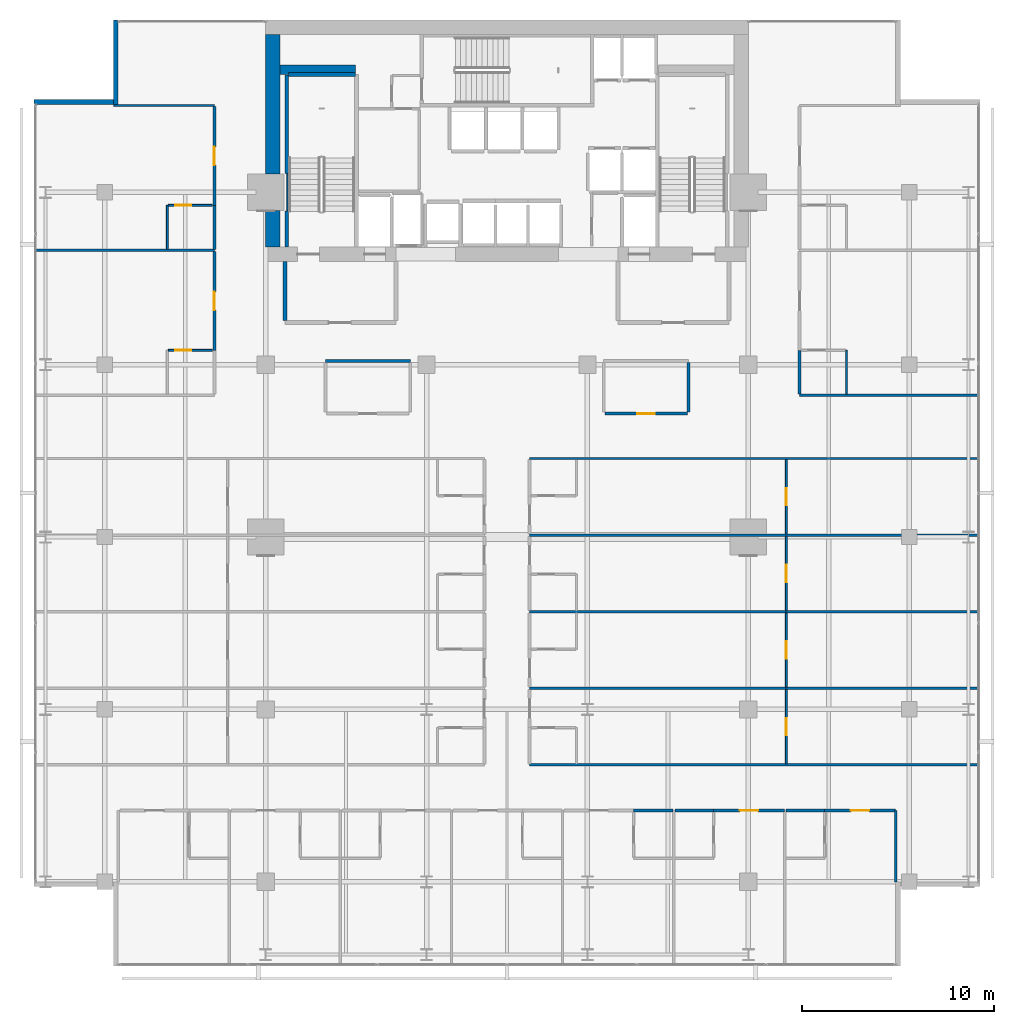
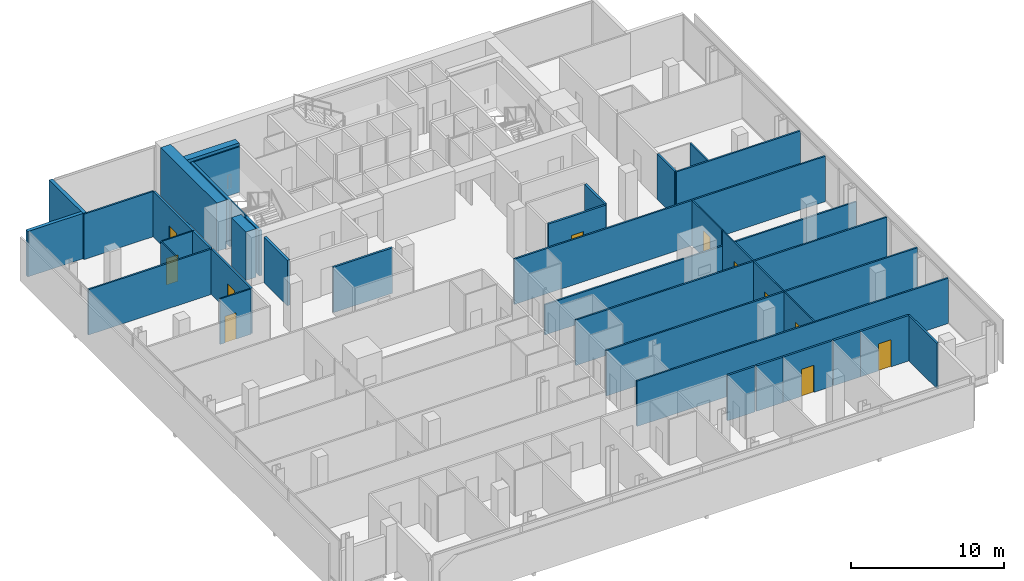
# One storey, part 29 of 34: 39 walls, 11 doors, 11 openings.
"""IFC4 building model written with IfcOpenShell, lengths in metres."""

from ifc_helpers import new_model, si_unit, direction, frame, frame_2d, origin, place, context, subcontext, project, spatial, rectangle, extrude, material, layer, layer_set, type_object, element, fill, save


model = new_model("IFC4")

# Units and contexts
model_context = context("Model", 3, precision=1e-05, world=origin(), true_north=direction((0.0, 1.0)))
body_context = subcontext(model_context, "Body", "Model", "MODEL_VIEW")
ifc_project = project(units=[si_unit("LENGTHUNIT", "METRE"), si_unit("AREAUNIT", "SQUARE_METRE"), si_unit("VOLUMEUNIT", "CUBIC_METRE"), si_unit("PLANEANGLEUNIT", "RADIAN"), si_unit("MASSUNIT", "GRAM", prefix="KILO")], contexts=[model_context])

# Site, building, storey
site_placement = place(None, origin())
site = spatial("IfcSite", under=ifc_project, at=site_placement, CompositionType="ELEMENT")
building_placement = place(site_placement, origin())
building = spatial("IfcBuilding", under=site, at=building_placement, Name="Maruvema Waterfront Hotel and Observation Tower", CompositionType="ELEMENT")
storey_placement = place(building_placement, frame((0.0, 0.0, 131.25)))
storey = spatial("IfcBuildingStorey", under=building, at=storey_placement, Name="L31", CompositionType="ELEMENT", Elevation=131.25)

# Walls
ifc_material_1 = material(Name="Twin-stud acoustic gypsum drywall", Category="gypsum")
ifc_layer_1 = layer(ifc_material_1, 0.14990234375, Name="Acoustic Corridor and Suite Demising Wall 150 mm")
ifc_layer_set_1 = layer_set([ifc_layer_1], Name="Twin-stud acoustic gypsum drywall")
wall_type_1 = type_object("IfcWallType", Name="Acoustic Corridor and Suite Demising Wall 150 mm", PredefinedType="PARTITIONING", material=ifc_layer_set_1)
wall_1_placement = place(storey_placement, frame((28.320068359375, 36.199951171875, 0.0), z_axis=(0.0, 0.0, 1.0), x_axis=(1.0, 0.0, 0.0)))
element("IfcWall", 1, at=wall_1_placement, inside=storey, type_object=wall_type_1, Name="L31 L31-M1 Back Wall 017", PredefinedType="PARTITIONING", context=body_context, shape_type="SweptSolid", body=[
    extrude(rectangle(XDim=4.429931640625, YDim=0.14990234375, at=frame_2d((2.21484375, 0.0))), origin(), (0.0, 0.0, 1.0), 3.610107421875),
])
wall_2_placement = place(storey_placement, frame((47.280029296875, 33.530029296875, 0.0), z_axis=(0.0, 0.0, 1.0), x_axis=(0.0, 1.0, 0.0)))
element("IfcWall", 2, at=wall_2_placement, inside=storey, type_object=wall_type_1, Name="L31 L31-M2 East Wall 023", PredefinedType="PARTITIONING", context=body_context, shape_type="SweptSolid", body=[
    extrude(rectangle(XDim=2.590087890625, YDim=0.14990234375, at=frame_2d((1.294921875, 0.0))), origin(), (0.0, 0.0, 1.0), 3.610107421875),
])

# Wall, opening, door
wall_3_placement = place(storey_placement, frame((42.909912109375, 33.449951171875, 0.0), z_axis=(0.0, 0.0, 1.0), x_axis=(1.0, 0.0, 0.0)))
wall_3 = element("IfcWall", 3, at=wall_3_placement, inside=storey, type_object=wall_type_1, Name="L31 L31-M2 Front 1 024", PredefinedType="PARTITIONING", context=body_context, shape_type="SweptSolid", body=[
    extrude(rectangle(XDim=4.31005859375, YDim=0.14990234375, at=frame_2d((2.155029296875, 0.0))), origin(), (0.0, 0.0, 1.0), 3.610107421875),
])
opening_1_placement = place(wall_3_placement, frame((1.705078125, 0.0, 0.0)))
opening_1 = element("IfcOpeningElement", 4, at=opening_1_placement, cuts=wall_3, Name="Opening DR-090", PredefinedType="OPENING", context=body_context, shape_type="SweptSolid", body=[
    extrude(rectangle(XDim=0.89990234375, YDim=2.10009765625, at=frame_2d((0.449951171875, 1.050048828125))), frame((0.0, 0.0849609375, 0.0), z_axis=(0.0, -1.0, 0.0), x_axis=(1.0, 0.0, 0.0)), (0.0, 0.0, 1.0), 0.169921875),
])
ifc_material_2 = material(Name="Solid-core lacquered timber leaf", Category="wood")
door_type_1 = type_object("IfcDoorType", Name="Accessible Toilet and Room Door 900x2100 mm", OperationType="NOTDEFINED", PredefinedType="DOOR", material=ifc_material_2)
door_1_placement = place(opening_1_placement, frame((0.89990234375, 0.0, 0.0), z_axis=(0.0, 0.0, 1.0), x_axis=(-1.0, 0.0, 0.0)))
door_1 = element("IfcDoor", 5, at=door_1_placement, inside=storey, type_object=door_type_1, Name="L31 Business Office 1 Door", OperationType="SINGLE_SWING_RIGHT", OverallHeight=2.10009765625, OverallWidth=0.89990234375, PredefinedType="DOOR", context=body_context, shape_type="SweptSolid", body=[
    extrude(rectangle(XDim=0.89990234375, YDim=2.10009765625, at=frame_2d((0.449951171875, 1.050048828125))), frame((0.0, 0.02490234375, 0.0), z_axis=(0.0, -1.0, 0.0), x_axis=(1.0, 0.0, 0.0)), (0.0, 0.0, 1.0), 0.050048828125),
])
fill(opening_1, door_1)

# Walls
wall_4_placement = place(storey_placement, frame((44.409912109375, 12.719970703125, 0.0), z_axis=(0.0, 0.0, 1.0), x_axis=(1.0, 0.0, 0.0)))
element("IfcWall", 6, at=wall_4_placement, inside=storey, type_object=wall_type_1, Name="L31 Bath L31-S5 Back Wall 047", PredefinedType="PARTITIONING", context=body_context, shape_type="SweptSolid", body=[
    extrude(rectangle(XDim=2.070068359375, YDim=0.14990234375, at=frame_2d((1.03515625, 0.0))), origin(), (0.0, 0.0, 1.0), 3.610107421875),
])
wall_5_placement = place(storey_placement, frame((46.580078125, 12.719970703125, 0.0), z_axis=(0.0, 0.0, 1.0), x_axis=(1.0, 0.0, 0.0)))
element("IfcWall", 7, at=wall_5_placement, inside=storey, type_object=wall_type_1, Name="L31 Bath L31-S6 Back Wall 052", PredefinedType="PARTITIONING", context=body_context, shape_type="SweptSolid", body=[
    extrude(rectangle(XDim=2.010009765625, YDim=0.14990234375, at=frame_2d((1.0048828125, 0.0))), origin(), (0.0, 0.0, 1.0), 3.610107421875),
])

# Wall, opening, door
wall_6_placement = place(storey_placement, frame((48.590087890625, 12.719970703125, 0.0), z_axis=(0.0, 0.0, 1.0), x_axis=(1.0, 0.0, 0.0)))
wall_6 = element("IfcWall", 8, at=wall_6_placement, inside=storey, type_object=wall_type_1, Name="L31 Unit L31-S6 Corridor Wall 055", PredefinedType="PARTITIONING", context=body_context, shape_type="SweptSolid", body=[
    extrude(rectangle(XDim=3.68994140625, YDim=0.14990234375, at=frame_2d((1.844970703125, 0.0))), origin(), (0.0, 0.0, 1.0), 3.610107421875),
])
opening_2_placement = place(wall_6_placement, frame((1.3701171875, 0.0, 0.0)))
opening_2 = element("IfcOpeningElement", 9, at=opening_2_placement, cuts=wall_6, Name="Opening DR-095", PredefinedType="OPENING", context=body_context, shape_type="SweptSolid", body=[
    extrude(rectangle(XDim=0.949951171875, YDim=2.14990234375, at=frame_2d((0.47509765625, 1.074951171875))), frame((0.0, 0.0849609375, 0.0), z_axis=(0.0, -1.0, 0.0), x_axis=(1.0, 0.0, 0.0)), (0.0, 0.0, 1.0), 0.169921875),
])
ifc_material_3 = material(Name="Acoustic solid-core hardwood timber leaf", Category="wood")
door_type_2 = type_object("IfcDoorType", Name="Guestroom Entrance Fire Door 950x2150 mm", OperationType="NOTDEFINED", PredefinedType="DOOR", material=ifc_material_3)
door_2_placement = place(opening_2_placement, frame((0.949951171875, 0.0, 0.0), z_axis=(0.0, 0.0, 1.0), x_axis=(-1.0, 0.0, 0.0)))
door_2 = element("IfcDoor", 10, at=door_2_placement, inside=storey, type_object=door_type_2, Name="L31 Unit L31-S6 Entrance Door", OperationType="SINGLE_SWING_RIGHT", OverallHeight=2.14990234375, OverallWidth=0.949951171875, PredefinedType="DOOR", context=body_context, shape_type="SweptSolid", body=[
    extrude(rectangle(XDim=0.949951171875, YDim=2.14990234375, at=frame_2d((0.47509765625, 1.074951171875))), frame((0.0, 0.02490234375, 0.0), z_axis=(0.0, -1.0, 0.0), x_axis=(1.0, 0.0, 0.0)), (0.0, 0.0, 1.0), 0.050048828125),
])
fill(opening_2, door_2)

# Wall
wall_7_placement = place(storey_placement, frame((52.3798828125, 12.719970703125, 0.0), z_axis=(0.0, 0.0, 1.0), x_axis=(1.0, 0.0, 0.0)))
element("IfcWall", 11, at=wall_7_placement, inside=storey, type_object=wall_type_1, Name="L31 Bath L31-S7 Back Wall 057", PredefinedType="PARTITIONING", context=body_context, shape_type="SweptSolid", body=[
    extrude(rectangle(XDim=2.010009765625, YDim=0.14990234375, at=frame_2d((1.0048828125, 0.0))), origin(), (0.0, 0.0, 1.0), 3.610107421875),
])

# Wall, opening, door
wall_8_placement = place(storey_placement, frame((54.389892578125, 12.719970703125, 0.0), z_axis=(0.0, 0.0, 1.0), x_axis=(1.0, 0.0, 0.0)))
wall_8 = element("IfcWall", 12, at=wall_8_placement, inside=storey, type_object=wall_type_1, Name="L31 Unit L31-S7 Corridor Wall 060", PredefinedType="PARTITIONING", context=body_context, shape_type="SweptSolid", body=[
    extrude(rectangle(XDim=3.690185546875, YDim=0.14990234375, at=frame_2d((1.84521484375, 0.0))), origin(), (0.0, 0.0, 1.0), 3.610107421875),
])
opening_3_placement = place(wall_8_placement, frame((1.3701171875, 0.0, 0.0)))
opening_3 = element("IfcOpeningElement", 13, at=opening_3_placement, cuts=wall_8, Name="Opening DR-095", PredefinedType="OPENING", context=body_context, shape_type="SweptSolid", body=[
    extrude(rectangle(XDim=0.949951171875, YDim=2.14990234375, at=frame_2d((0.47509765625, 1.074951171875))), frame((0.0, 0.0849609375, 0.0), z_axis=(0.0, -1.0, 0.0), x_axis=(1.0, 0.0, 0.0)), (0.0, 0.0, 1.0), 0.169921875),
])
door_3_placement = place(opening_3_placement, frame((0.949951171875, 0.0, 0.0), z_axis=(0.0, 0.0, 1.0), x_axis=(-1.0, 0.0, 0.0)))
door_3 = element("IfcDoor", 14, at=door_3_placement, inside=storey, type_object=door_type_2, Name="L31 Unit L31-S7 Entrance Door", OperationType="SINGLE_SWING_RIGHT", OverallHeight=2.14990234375, OverallWidth=0.949951171875, PredefinedType="DOOR", context=body_context, shape_type="SweptSolid", body=[
    extrude(rectangle(XDim=0.949951171875, YDim=2.14990234375, at=frame_2d((0.47509765625, 1.074951171875))), frame((0.0, 0.02490234375, 0.0), z_axis=(0.0, -1.0, 0.0), x_axis=(1.0, 0.0, 0.0)), (0.0, 0.0, 1.0), 0.050048828125),
])
fill(opening_3, door_3)

wall_9_placement = place(storey_placement, frame((22.52001953125, 36.75, 0.0), z_axis=(0.0, 0.0, 1.0), x_axis=(0.0, 1.0, 0.0)))
wall_9 = element("IfcWall", 15, at=wall_9_placement, inside=storey, type_object=wall_type_1, Name="L31 Room L31-NW1 Corridor Wall 116", PredefinedType="PARTITIONING", context=body_context, shape_type="SweptSolid", body=[
    extrude(rectangle(XDim=5.15869140625, YDim=0.14990234375, at=frame_2d((2.579345703125, 0.0))), origin(), (0.0, 0.0, 1.0), 3.610107421875),
])
opening_4_placement = place(wall_9_placement, frame((2.1044921875, 0.0, 0.0)))
opening_4 = element("IfcOpeningElement", 16, at=opening_4_placement, cuts=wall_9, Name="Opening DR-095", PredefinedType="OPENING", context=body_context, shape_type="SweptSolid", body=[
    extrude(rectangle(XDim=0.949951171875, YDim=2.14990234375, at=frame_2d((0.47509765625, 1.074951171875))), frame((0.0, 0.0849609375, 0.0), z_axis=(0.0, -1.0, 0.0), x_axis=(1.0, 0.0, 0.0)), (0.0, 0.0, 1.0), 0.169921875),
])
door_4_placement = place(opening_4_placement, origin())
door_4 = element("IfcDoor", 17, at=door_4_placement, inside=storey, type_object=door_type_2, Name="L31 Room L31-NW1 Entrance Door", OperationType="SINGLE_SWING_RIGHT", OverallHeight=2.14990234375, OverallWidth=0.949951171875, PredefinedType="DOOR", context=body_context, shape_type="SweptSolid", body=[
    extrude(rectangle(XDim=0.949951171875, YDim=2.14990234375, at=frame_2d((0.47509765625, 1.074951171875))), frame((0.0, 0.02490234375, 0.0), z_axis=(0.0, -1.0, 0.0), x_axis=(1.0, 0.0, 0.0)), (0.0, 0.0, 1.0), 0.050048828125),
])
fill(opening_4, door_4)

# Walls
for number, where, z_axis, x_axis, name in (
    (18, (53.080078125, 34.4599609375, 0.0), (0.0, 0.0, 1.0), (0.0, 1.0, 0.0), "L31 Bath L31-NE1 Wall 119"),
    (19, (22.52001953125, 42.02880859375, 0.0), (0.0, 0.0, 1.0), (0.0, 1.0, 0.0), "L31 Bath L31-NW2 Wall 125"),
):
    element("IfcWall", number, at=place(storey_placement, frame(where, z_axis=z_axis, x_axis=x_axis)), inside=storey, type_object=wall_type_1, Name=name, PredefinedType="PARTITIONING", context=body_context, shape_type="SweptSolid", body=[
        extrude(rectangle(XDim=2.2900390625, YDim=0.14990234375, at=frame_2d((1.14501953125, 0.0))), origin(), (0.0, 0.0, 1.0), 3.610107421875),
    ])

# Wall, opening, door
wall_10_placement = place(storey_placement, frame((22.52001953125, 44.31884765625, 0.0), z_axis=(0.0, 0.0, 1.0), x_axis=(0.0, 1.0, 0.0)))
wall_10 = element("IfcWall", 20, at=wall_10_placement, inside=storey, type_object=wall_type_1, Name="L31 Room L31-NW2 Corridor Wall 126", PredefinedType="PARTITIONING", context=body_context, shape_type="SweptSolid", body=[
    extrude(rectangle(XDim=5.15869140625, YDim=0.14990234375, at=frame_2d((2.579345703125, 0.0))), origin(), (0.0, 0.0, 1.0), 3.610107421875),
])
opening_5_placement = place(wall_10_placement, frame((2.104248046875, 0.0, 0.0)))
opening_5 = element("IfcOpeningElement", 21, at=opening_5_placement, cuts=wall_10, Name="Opening DR-095", PredefinedType="OPENING", context=body_context, shape_type="SweptSolid", body=[
    extrude(rectangle(XDim=0.949951171875, YDim=2.14990234375, at=frame_2d((0.47509765625, 1.074951171875))), frame((0.0, 0.0849609375, 0.0), z_axis=(0.0, -1.0, 0.0), x_axis=(1.0, 0.0, 0.0)), (0.0, 0.0, 1.0), 0.169921875),
])
door_5_placement = place(opening_5_placement, origin())
door_5 = element("IfcDoor", 22, at=door_5_placement, inside=storey, type_object=door_type_2, Name="L31 Room L31-NW2 Entrance Door", OperationType="SINGLE_SWING_RIGHT", OverallHeight=2.14990234375, OverallWidth=0.949951171875, PredefinedType="DOOR", context=body_context, shape_type="SweptSolid", body=[
    extrude(rectangle(XDim=0.949951171875, YDim=2.14990234375, at=frame_2d((0.47509765625, 1.074951171875))), frame((0.0, 0.02490234375, 0.0), z_axis=(0.0, -1.0, 0.0), x_axis=(1.0, 0.0, 0.0)), (0.0, 0.0, 1.0), 0.050048828125),
])
fill(opening_5, door_5)

# Walls
ifc_material_4 = material(Name="Precast concrete C45/55", Category="concrete")
ifc_layer_2 = layer(ifc_material_4, 0.199951171875, Name="Core Shaft and Stairwell Enclosure Wall 200 mm")
ifc_layer_set_2 = layer_set([ifc_layer_2], Name="Precast concrete C45/55")
wall_type_2 = type_object("IfcWallType", Name="Core Shaft and Stairwell Enclosure Wall 200 mm", PredefinedType="SOLIDWALL", material=ifc_layer_set_2)
wall_11_placement = place(storey_placement, frame((26.300048828125, 42.14990234375, 0.0), z_axis=(0.0, 0.0, 1.0), x_axis=(0.0, 1.0, 0.0)))
element("IfcWall", 23, at=wall_11_placement, inside=storey, type_object=wall_type_2, Name="L31 Stairwell ST-01 Shaft Lining Wall", PredefinedType="SOLIDWALL", context=body_context, shape_type="SweptSolid", body=[
    extrude(rectangle(XDim=1.8701171875, YDim=0.199951171875, at=frame_2d((0.93505859375, 0.0))), origin(), (0.0, 0.0, 1.0), 3.610107421875),
])
wall_12_placement = place(storey_placement, frame((26.300048828125, 45.97998046875, 0.0), z_axis=(0.0, 0.0, 1.0), x_axis=(0.0, 1.0, 0.0)))
element("IfcWall", 24, at=wall_12_placement, inside=storey, type_object=wall_type_2, Name="L31 Stairwell ST-01 Shaft Lining Wall", PredefinedType="SOLIDWALL", context=body_context, shape_type="SweptSolid", body=[
    extrude(rectangle(XDim=5.14013671875, YDim=0.199951171875, at=frame_2d((2.570068359375, 0.0))), origin(), (0.0, 0.0, 1.0), 3.610107421875),
])
wall_13_placement = place(storey_placement, frame((26.3798828125, 51.14990234375, 0.0), z_axis=(0.0, 0.0, 1.0), x_axis=(1.0, 0.0, 0.0)))
element("IfcWall", 25, at=wall_13_placement, inside=storey, type_object=wall_type_2, Name="L31 Stairwell ST-01 Shaft Lining Wall", PredefinedType="SOLIDWALL", context=body_context, shape_type="SweptSolid", body=[
    extrude(rectangle(XDim=3.5, YDim=0.199951171875, at=frame_2d((1.75, 0.0))), origin(), (0.0, 0.0, 1.0), 3.610107421875),
])
ifc_material_5 = material(Name="Concrete C70/85", Category="concrete")
ifc_layer_3 = layer(ifc_material_5, 0.5, Name="Core Shear Wall 500 mm")
ifc_layer_set_3 = layer_set([ifc_layer_3], Name="Concrete C70/85")
wall_type_3 = type_object("IfcWallType", Name="Core Shear Wall 500 mm", PredefinedType="SHEAR", material=ifc_layer_set_3)
wall_14_placement = place(storey_placement, frame((25.949951171875, 51.39990234375, 0.0), z_axis=(0.0, 0.0, 1.0), x_axis=(1.0, 0.0, 0.0)))
element("IfcWall", 26, at=wall_14_placement, inside=storey, type_object=wall_type_3, Name="L31 Internal Core Shear Wall NW 500 mm", PredefinedType="SHEAR", context=body_context, shape_type="SweptSolid", body=[
    extrude(rectangle(XDim=3.949951171875, YDim=0.5, at=frame_2d((1.97509765625, 0.0))), origin(), (0.0, 0.0, 1.0), 3.85009765625),
])
ifc_material_6 = material(Name="Concrete C70/85", Category="concrete")
ifc_layer_4 = layer(ifc_material_6, 0.75, Name="Core Shear Wall 750 mm")
ifc_layer_set_4 = layer_set([ifc_layer_4], Name="Concrete C70/85")
wall_type_4 = type_object("IfcWallType", Name="Core Shear Wall 750 mm", PredefinedType="SHEAR", material=ifc_layer_set_4)
wall_15_placement = place(storey_placement, frame((25.574951171875, 42.14990234375, 0.0), z_axis=(0.0, 0.0, 1.0), x_axis=(0.0, 1.0, 0.0)))
element("IfcWall", 27, at=wall_15_placement, inside=storey, type_object=wall_type_4, Name="L31 West-South Core Shear Wall", PredefinedType="SHEAR", context=body_context, shape_type="SweptSolid", body=[
    extrude(rectangle(XDim=1.900146484375, YDim=0.75, at=frame_2d((0.9501953125, 0.0))), origin(), (0.0, 0.0, 1.0), 3.85009765625),
])
wall_16_placement = place(storey_placement, frame((25.574951171875, 45.949951171875, 0.0), z_axis=(0.0, 0.0, 1.0), x_axis=(0.0, 1.0, 0.0)))
element("IfcWall", 28, at=wall_16_placement, inside=storey, type_object=wall_type_4, Name="L31 West-North Core Shear Wall", PredefinedType="SHEAR", context=body_context, shape_type="SweptSolid", body=[
    extrude(rectangle(XDim=7.300048828125, YDim=0.75, at=frame_2d((3.64990234375, 0.0))), origin(), (0.0, 0.0, 1.0), 3.85009765625),
])

# Wall, opening, door
ifc_material_7 = material(Name="Moisture-resistant cement-board drywall", Category="gypsum")
ifc_layer_5 = layer(ifc_material_7, 0.10009765625, Name="En-Suite Moisture-Resistant Partition 100 mm")
ifc_layer_set_5 = layer_set([ifc_layer_5], Name="Moisture-resistant cement-board drywall")
wall_type_5 = type_object("IfcWallType", Name="En-Suite Moisture-Resistant Partition 100 mm", PredefinedType="PARTITIONING", material=ifc_layer_set_5)
wall_17_placement = place(storey_placement, frame((52.386474609375, 15.159912109375, 0.0), z_axis=(0.0, 0.0, 1.0), x_axis=(0.0, 1.0, 0.0)))
wall_17 = element("IfcWall", 29, at=wall_17_placement, inside=storey, type_object=wall_type_5, Name="L31 Suite L31-E1 Split 074", PredefinedType="PARTITIONING", context=body_context, shape_type="SweptSolid", body=[
    extrude(rectangle(XDim=3.880126953125, YDim=0.10009765625, at=frame_2d((1.93994140625, 0.0))), origin(), (0.0, 0.0, 1.0), 3.610107421875),
])
opening_6_placement = place(wall_17_placement, frame((1.489990234375, 0.0, 0.0)))
opening_6 = element("IfcOpeningElement", 30, at=opening_6_placement, cuts=wall_17, Name="Opening DR-090", PredefinedType="OPENING", context=body_context, shape_type="SweptSolid", body=[
    extrude(rectangle(XDim=0.89990234375, YDim=2.10009765625, at=frame_2d((0.449951171875, 1.050048828125))), frame((0.0, 0.06005859375, 0.0), z_axis=(0.0, -1.0, 0.0), x_axis=(1.0, 0.0, 0.0)), (0.0, 0.0, 1.0), 0.1201171875),
])
door_6_placement = place(opening_6_placement, frame((0.89990234375, 0.0, 0.0), z_axis=(0.0, 0.0, 1.0), x_axis=(-1.0, 0.0, 0.0)))
door_6 = element("IfcDoor", 31, at=door_6_placement, inside=storey, type_object=door_type_1, Name="L31 Suite L31-E1 Bedroom Door", OperationType="SINGLE_SWING_RIGHT", OverallHeight=2.10009765625, OverallWidth=0.89990234375, PredefinedType="DOOR", context=body_context, shape_type="SweptSolid", body=[
    extrude(rectangle(XDim=0.89990234375, YDim=2.10009765625, at=frame_2d((0.449951171875, 1.050048828125))), frame((0.0, 0.02490234375, 0.0), z_axis=(0.0, -1.0, 0.0), x_axis=(1.0, 0.0, 0.0)), (0.0, 0.0, 1.0), 0.050048828125),
])
fill(opening_6, door_6)

wall_18_placement = place(storey_placement, frame((52.386474609375, 19.159912109375, 0.0), z_axis=(0.0, 0.0, 1.0), x_axis=(0.0, 1.0, 0.0)))
wall_18 = element("IfcWall", 32, at=wall_18_placement, inside=storey, type_object=wall_type_5, Name="L31 Suite L31-E2 Split 086", PredefinedType="PARTITIONING", context=body_context, shape_type="SweptSolid", body=[
    extrude(rectangle(XDim=3.880126953125, YDim=0.10009765625, at=frame_2d((1.93994140625, 0.0))), origin(), (0.0, 0.0, 1.0), 3.610107421875),
])
opening_7_placement = place(wall_18_placement, frame((1.489990234375, 0.0, 0.0)))
opening_7 = element("IfcOpeningElement", 33, at=opening_7_placement, cuts=wall_18, Name="Opening DR-090", PredefinedType="OPENING", context=body_context, shape_type="SweptSolid", body=[
    extrude(rectangle(XDim=0.89990234375, YDim=2.10009765625, at=frame_2d((0.449951171875, 1.050048828125))), frame((0.0, 0.06005859375, 0.0), z_axis=(0.0, -1.0, 0.0), x_axis=(1.0, 0.0, 0.0)), (0.0, 0.0, 1.0), 0.1201171875),
])
door_7_placement = place(opening_7_placement, frame((0.89990234375, 0.0, 0.0), z_axis=(0.0, 0.0, 1.0), x_axis=(-1.0, 0.0, 0.0)))
door_7 = element("IfcDoor", 34, at=door_7_placement, inside=storey, type_object=door_type_1, Name="L31 Suite L31-E2 Bedroom Door", OperationType="SINGLE_SWING_RIGHT", OverallHeight=2.10009765625, OverallWidth=0.89990234375, PredefinedType="DOOR", context=body_context, shape_type="SweptSolid", body=[
    extrude(rectangle(XDim=0.89990234375, YDim=2.10009765625, at=frame_2d((0.449951171875, 1.050048828125))), frame((0.0, 0.02490234375, 0.0), z_axis=(0.0, -1.0, 0.0), x_axis=(1.0, 0.0, 0.0)), (0.0, 0.0, 1.0), 0.050048828125),
])
fill(opening_7, door_7)

wall_19_placement = place(storey_placement, frame((52.386474609375, 23.159912109375, 0.0), z_axis=(0.0, 0.0, 1.0), x_axis=(0.0, 1.0, 0.0)))
wall_19 = element("IfcWall", 35, at=wall_19_placement, inside=storey, type_object=wall_type_5, Name="L31 Suite L31-E3 Split 098", PredefinedType="PARTITIONING", context=body_context, shape_type="SweptSolid", body=[
    extrude(rectangle(XDim=3.880126953125, YDim=0.10009765625, at=frame_2d((1.93994140625, 0.0))), origin(), (0.0, 0.0, 1.0), 3.610107421875),
])
opening_8_placement = place(wall_19_placement, frame((1.489990234375, 0.0, 0.0)))
opening_8 = element("IfcOpeningElement", 36, at=opening_8_placement, cuts=wall_19, Name="Opening DR-090", PredefinedType="OPENING", context=body_context, shape_type="SweptSolid", body=[
    extrude(rectangle(XDim=0.89990234375, YDim=2.10009765625, at=frame_2d((0.449951171875, 1.050048828125))), frame((0.0, 0.06005859375, 0.0), z_axis=(0.0, -1.0, 0.0), x_axis=(1.0, 0.0, 0.0)), (0.0, 0.0, 1.0), 0.1201171875),
])
door_8_placement = place(opening_8_placement, frame((0.89990234375, 0.0, 0.0), z_axis=(0.0, 0.0, 1.0), x_axis=(-1.0, 0.0, 0.0)))
door_8 = element("IfcDoor", 37, at=door_8_placement, inside=storey, type_object=door_type_1, Name="L31 Suite L31-E3 Bedroom Door", OperationType="SINGLE_SWING_RIGHT", OverallHeight=2.10009765625, OverallWidth=0.89990234375, PredefinedType="DOOR", context=body_context, shape_type="SweptSolid", body=[
    extrude(rectangle(XDim=0.89990234375, YDim=2.10009765625, at=frame_2d((0.449951171875, 1.050048828125))), frame((0.0, 0.02490234375, 0.0), z_axis=(0.0, -1.0, 0.0), x_axis=(1.0, 0.0, 0.0)), (0.0, 0.0, 1.0), 0.050048828125),
])
fill(opening_8, door_8)

wall_20_placement = place(storey_placement, frame((52.386474609375, 27.159912109375, 0.0), z_axis=(0.0, 0.0, 1.0), x_axis=(0.0, 1.0, 0.0)))
wall_20 = element("IfcWall", 38, at=wall_20_placement, inside=storey, type_object=wall_type_5, Name="L31 Suite L31-E4 Split 110", PredefinedType="PARTITIONING", context=body_context, shape_type="SweptSolid", body=[
    extrude(rectangle(XDim=3.880126953125, YDim=0.10009765625, at=frame_2d((1.93994140625, 0.0))), origin(), (0.0, 0.0, 1.0), 3.610107421875),
])
opening_9_placement = place(wall_20_placement, frame((1.489990234375, 0.0, 0.0)))
opening_9 = element("IfcOpeningElement", 39, at=opening_9_placement, cuts=wall_20, Name="Opening DR-090", PredefinedType="OPENING", context=body_context, shape_type="SweptSolid", body=[
    extrude(rectangle(XDim=0.89990234375, YDim=2.10009765625, at=frame_2d((0.449951171875, 1.050048828125))), frame((0.0, 0.06005859375, 0.0), z_axis=(0.0, -1.0, 0.0), x_axis=(1.0, 0.0, 0.0)), (0.0, 0.0, 1.0), 0.1201171875),
])
door_9_placement = place(opening_9_placement, frame((0.89990234375, 0.0, 0.0), z_axis=(0.0, 0.0, 1.0), x_axis=(-1.0, 0.0, 0.0)))
door_9 = element("IfcDoor", 40, at=door_9_placement, inside=storey, type_object=door_type_1, Name="L31 Suite L31-E4 Bedroom Door", OperationType="SINGLE_SWING_RIGHT", OverallHeight=2.10009765625, OverallWidth=0.89990234375, PredefinedType="DOOR", context=body_context, shape_type="SweptSolid", body=[
    extrude(rectangle(XDim=0.89990234375, YDim=2.10009765625, at=frame_2d((0.449951171875, 1.050048828125))), frame((0.0, 0.02490234375, 0.0), z_axis=(0.0, -1.0, 0.0), x_axis=(1.0, 0.0, 0.0)), (0.0, 0.0, 1.0), 0.050048828125),
])
fill(opening_9, door_9)

wall_21_placement = place(storey_placement, frame((20.1201171875, 36.75, 0.0), z_axis=(0.0, 0.0, 1.0), x_axis=(1.0, 0.0, 0.0)))
wall_21 = element("IfcWall", 41, at=wall_21_placement, inside=storey, type_object=wall_type_5, Name="L31 En-Suite L31-NW1 N 118", PredefinedType="PARTITIONING", context=body_context, shape_type="SweptSolid", body=[
    extrude(rectangle(XDim=2.2998046875, YDim=0.10009765625, at=frame_2d((1.14990234375, 0.0))), origin(), (0.0, 0.0, 1.0), 3.610107421875),
])
opening_10_placement = place(wall_21_placement, frame((0.35009765625, 0.0, 0.0)))
opening_10 = element("IfcOpeningElement", 42, at=opening_10_placement, cuts=wall_21, Name="Opening DR-085", PredefinedType="OPENING", context=body_context, shape_type="SweptSolid", body=[
    extrude(rectangle(XDim=0.85009765625, YDim=2.10009765625, at=frame_2d((0.425048828125, 1.050048828125))), frame((0.0, 0.06005859375, 0.0), z_axis=(0.0, -1.0, 0.0), x_axis=(1.0, 0.0, 0.0)), (0.0, 0.0, 1.0), 0.1201171875),
])
ifc_material_8 = material(Name="Moisture-resistant solid timber leaf", Category="wood")
door_type_3 = type_object("IfcDoorType", Name="En-Suite Bathroom Door 850x2100 mm", OperationType="NOTDEFINED", PredefinedType="DOOR", material=ifc_material_8)
door_10_placement = place(opening_10_placement, origin())
door_10 = element("IfcDoor", 43, at=door_10_placement, inside=storey, type_object=door_type_3, Name="L31 En-Suite L31-NW1 Door", OperationType="SINGLE_SWING_LEFT", OverallHeight=2.10009765625, OverallWidth=0.85009765625, PredefinedType="DOOR", context=body_context, shape_type="SweptSolid", body=[
    extrude(rectangle(XDim=0.85009765625, YDim=2.10009765625, at=frame_2d((0.425048828125, 1.050048828125))), frame((0.0, 0.02490234375, 0.0), z_axis=(0.0, -1.0, 0.0), x_axis=(1.0, 0.0, 0.0)), (0.0, 0.0, 1.0), 0.050048828125),
])
fill(opening_10, door_10)

# Walls
for number, where, z_axis, x_axis, name in (
    (44, (55.530029296875, 34.4599609375, 0.0), (0.0, 0.0, 1.0), (0.0, 1.0, 0.0), "L31 En-Suite L31-NE1 E 121"),
    (45, (20.070068359375, 42.02880859375, 0.0), (0.0, 0.0, 1.0), (0.0, 1.0, 0.0), "L31 En-Suite L31-NW2 W 127"),
):
    element("IfcWall", number, at=place(storey_placement, frame(where, z_axis=z_axis, x_axis=x_axis)), inside=storey, type_object=wall_type_5, Name=name, PredefinedType="PARTITIONING", context=body_context, shape_type="SweptSolid", body=[
        extrude(rectangle(XDim=2.2900390625, YDim=0.10009765625, at=frame_2d((1.14501953125, 0.0))), origin(), (0.0, 0.0, 1.0), 3.610107421875),
    ])

# Wall, opening, door
wall_22_placement = place(storey_placement, frame((20.1201171875, 44.31884765625, 0.0), z_axis=(0.0, 0.0, 1.0), x_axis=(1.0, 0.0, 0.0)))
wall_22 = element("IfcWall", 46, at=wall_22_placement, inside=storey, type_object=wall_type_5, Name="L31 En-Suite L31-NW2 N 128", PredefinedType="PARTITIONING", context=body_context, shape_type="SweptSolid", body=[
    extrude(rectangle(XDim=2.2998046875, YDim=0.10009765625, at=frame_2d((1.14990234375, 0.0))), origin(), (0.0, 0.0, 1.0), 3.610107421875),
])
opening_11_placement = place(wall_22_placement, frame((0.35009765625, 0.0, 0.0)))
opening_11 = element("IfcOpeningElement", 47, at=opening_11_placement, cuts=wall_22, Name="Opening DR-085", PredefinedType="OPENING", context=body_context, shape_type="SweptSolid", body=[
    extrude(rectangle(XDim=0.85009765625, YDim=2.10009765625, at=frame_2d((0.425048828125, 1.050048828125))), frame((0.0, 0.06005859375, 0.0), z_axis=(0.0, -1.0, 0.0), x_axis=(1.0, 0.0, 0.0)), (0.0, 0.0, 1.0), 0.1201171875),
])
door_11_placement = place(opening_11_placement, origin())
door_11 = element("IfcDoor", 48, at=door_11_placement, inside=storey, type_object=door_type_3, Name="L31 En-Suite L31-NW2 Door", OperationType="SINGLE_SWING_LEFT", OverallHeight=2.10009765625, OverallWidth=0.85009765625, PredefinedType="DOOR", context=body_context, shape_type="SweptSolid", body=[
    extrude(rectangle(XDim=0.85009765625, YDim=2.10009765625, at=frame_2d((0.425048828125, 1.050048828125))), frame((0.0, 0.02490234375, 0.0), z_axis=(0.0, -1.0, 0.0), x_axis=(1.0, 0.0, 0.0)), (0.0, 0.0, 1.0), 0.050048828125),
])
fill(opening_11, door_11)

# Walls
ifc_material_9 = material(Name="Precast concrete C45/55 with honed Pernambuco granite facing", Category="masonry")
ifc_layer_6 = layer(ifc_material_9, 0.260009765625, Name="Exterior Granite Clad Spandrel and Pier Wall 260 mm")
ifc_layer_set_6 = layer_set([ifc_layer_6], Name="Precast concrete C45/55 with honed Pernambuco granite facing")
wall_type_6 = type_object("IfcWallType", Name="Exterior Granite Clad Spandrel and Pier Wall 260 mm", PredefinedType="SOLIDWALL", material=ifc_layer_set_6)
for number, where, z_axis, x_axis, name in (
    (49, (17.3701171875, 49.60009765625, 0.0), (0.0, 0.0, 1.0), (0.0, 1.0, 0.0), "L31 Corner Notch Granite Pier Wall NW1"),
    (50, (13.10009765625, 49.72998046875, 0.0), (0.0, 0.0, 1.0), (1.0, 0.0, 0.0), "L31 Corner Notch Granite Pier Wall NW2"),
):
    element("IfcWall", number, at=place(storey_placement, frame(where, z_axis=z_axis, x_axis=x_axis)), inside=storey, type_object=wall_type_6, Name=name, PredefinedType="SOLIDWALL", context=body_context, shape_type="SweptSolid", body=[
        extrude(rectangle(XDim=4.39990234375, YDim=0.260009765625, at=frame_2d((2.199951171875, 0.0))), origin(), (0.0, 0.0, 1.0), 3.610107421875),
    ])
ifc_material_10 = material(Name="Autoclaved cellular concrete blockwork", Category="masonry")
ifc_layer_7 = layer(ifc_material_10, 0.199951171875, Name="Fire Compartment Masonry Wall 200 mm")
ifc_layer_set_7 = layer_set([ifc_layer_7], Name="Autoclaved cellular concrete blockwork")
wall_type_7 = type_object("IfcWallType", Name="Fire Compartment Masonry Wall 200 mm", PredefinedType="PARTITIONING", material=ifc_layer_set_7)
wall_23_placement = place(storey_placement, frame((26.199951171875, 38.31005859375, 0.0), z_axis=(0.0, 0.0, 1.0), x_axis=(0.0, 1.0, 0.0)))
element("IfcWall", 51, at=wall_23_placement, inside=storey, type_object=wall_type_7, Name="L31 FFL West West Wall 002", PredefinedType="PARTITIONING", context=body_context, shape_type="SweptSolid", body=[
    extrude(rectangle(XDim=3.06982421875, YDim=0.199951171875, at=frame_2d((1.534912109375, 0.0))), origin(), (0.0, 0.0, 1.0), 3.610107421875),
])
ifc_material_11 = material(Name="Acoustic gypsum plasterboard drywall", Category="gypsum")
ifc_layer_8 = layer(ifc_material_11, 0.125, Name="Guestroom Acoustic Demising Wall 125 mm")
ifc_layer_set_8 = layer_set([ifc_layer_8], Name="Acoustic gypsum plasterboard drywall")
wall_type_8 = type_object("IfcWallType", Name="Guestroom Acoustic Demising Wall 125 mm", PredefinedType="PARTITIONING", material=ifc_layer_set_8)
wall_24_placement = place(storey_placement, frame((58.10009765625, 9.0, 0.0), z_axis=(0.0, 0.0, 1.0), x_axis=(0.0, 1.0, 0.0)))
element("IfcWall", 52, at=wall_24_placement, inside=storey, type_object=wall_type_8, Name="L31 Z2 S East End 026", PredefinedType="PARTITIONING", context=body_context, shape_type="SweptSolid", body=[
    extrude(rectangle(XDim=3.719970703125, YDim=0.125, at=frame_2d((1.85986328125, 0.0))), origin(), (0.0, 0.0, 1.0), 3.610107421875),
])
for number, where, z_axis, x_axis, name in (
    (53, (38.97998046875, 15.10009765625, 0.0), (0.0, 0.0, 1.0), (1.0, 0.0, 0.0), "L31 Z2 E Bot End 062"),
    (54, (38.97998046875, 31.10009765625, 0.0), (0.0, 0.0, 1.0), (1.0, 0.0, 0.0), "L31 Z2 E Top End 064"),
    (55, (38.97998046875, 19.10009765625, 0.0), (0.0, 0.0, 1.0), (1.0, 0.0, 0.0), "L31 Z2 E Demising 2 076"),
    (56, (38.97998046875, 23.10009765625, 0.0), (0.0, 0.0, 1.0), (1.0, 0.0, 0.0), "L31 Z2 E Demising 3 088"),
):
    element("IfcWall", number, at=place(storey_placement, frame(where, z_axis=z_axis, x_axis=x_axis)), inside=storey, type_object=wall_type_8, Name=name, PredefinedType="PARTITIONING", context=body_context, shape_type="SweptSolid", body=[
        extrude(rectangle(XDim=23.419921875, YDim=0.125, at=frame_2d((11.7099609375, 0.0))), origin(), (0.0, 0.0, 1.0), 3.610107421875),
    ])
wall_25_placement = place(storey_placement, frame((38.97998046875, 27.10009765625, 0.0), z_axis=(0.0, 0.0, 1.0), x_axis=(1.0, 0.0, 0.0)))
element("IfcWall", 57, at=wall_25_placement, inside=storey, type_object=wall_type_8, Name="L31 Z2 E Demising 4 100", PredefinedType="PARTITIONING", context=body_context, shape_type="SweptSolid", body=[
    extrude(rectangle(XDim=23.419921875, YDim=0.125, at=frame_2d((11.7099609375, 0.0))), origin(), (0.0, 0.0, 1.0), 2.409912109375),
])
wall_26_placement = place(storey_placement, frame((53.080078125, 34.39990234375, 0.0), z_axis=(0.0, 0.0, 1.0), x_axis=(1.0, 0.0, 0.0)))
element("IfcWall", 58, at=wall_26_placement, inside=storey, type_object=wall_type_8, Name="L31 Z2 NE Bot End 112", PredefinedType="PARTITIONING", context=body_context, shape_type="SweptSolid", body=[
    extrude(rectangle(XDim=9.31982421875, YDim=0.125, at=frame_2d((4.659912109375, 0.0))), origin(), (0.0, 0.0, 1.0), 3.610107421875),
])
wall_27_placement = place(storey_placement, frame((17.239990234375, 49.53759765625, 0.0), z_axis=(0.0, 0.0, 1.0), x_axis=(1.0, 0.0, 0.0)))
element("IfcWall", 59, at=wall_27_placement, inside=storey, type_object=wall_type_8, Name="L31 Z2 NW Top End 113", PredefinedType="PARTITIONING", context=body_context, shape_type="SweptSolid", body=[
    extrude(rectangle(XDim=5.280029296875, YDim=0.125, at=frame_2d((2.64013671875, 0.0))), origin(), (0.0, 0.0, 1.0), 3.610107421875),
])
wall_28_placement = place(storey_placement, frame((13.199951171875, 41.96875, 0.0), z_axis=(0.0, 0.0, 1.0), x_axis=(1.0, 0.0, 0.0)))
element("IfcWall", 60, at=wall_28_placement, inside=storey, type_object=wall_type_8, Name="L31 Z2 NW Demising 2 123", PredefinedType="PARTITIONING", context=body_context, shape_type="SweptSolid", body=[
    extrude(rectangle(XDim=9.320068359375, YDim=0.125, at=frame_2d((4.66015625, 0.0))), origin(), (0.0, 0.0, 1.0), 3.610107421875),
])
ifc_material_12 = material(Name="Precast concrete C45/55", Category="concrete")
ifc_layer_9 = layer(ifc_material_12, 0.10009765625, Name="Stairwell Stringer Cheek Wall 100 mm")
ifc_layer_set_9 = layer_set([ifc_layer_9], Name="Precast concrete C45/55")
wall_type_9 = type_object("IfcWallType", Name="Stairwell Stringer Cheek Wall 100 mm", PredefinedType="SOLIDWALL", material=ifc_layer_set_9)
wall_29_placement = place(storey_placement, frame((26.35205078125, 44.0400390625, 0.0), z_axis=(0.0, 0.0, 1.0), x_axis=(0.0, 1.0, 0.0)))
element("IfcWall", 61, at=wall_29_placement, inside=storey, type_object=wall_type_9, Name="L31 Stairwell ST-01 Mega-Column Cheek Wall", PredefinedType="SOLIDWALL", context=body_context, shape_type="SweptSolid", body=[
    extrude(rectangle(XDim=1.919921875, YDim=0.10009765625, at=frame_2d((0.9599609375, 0.0))), origin(), (0.0, 0.0, 1.0), 3.610107421875),
])

save(model, "model.ifc")
